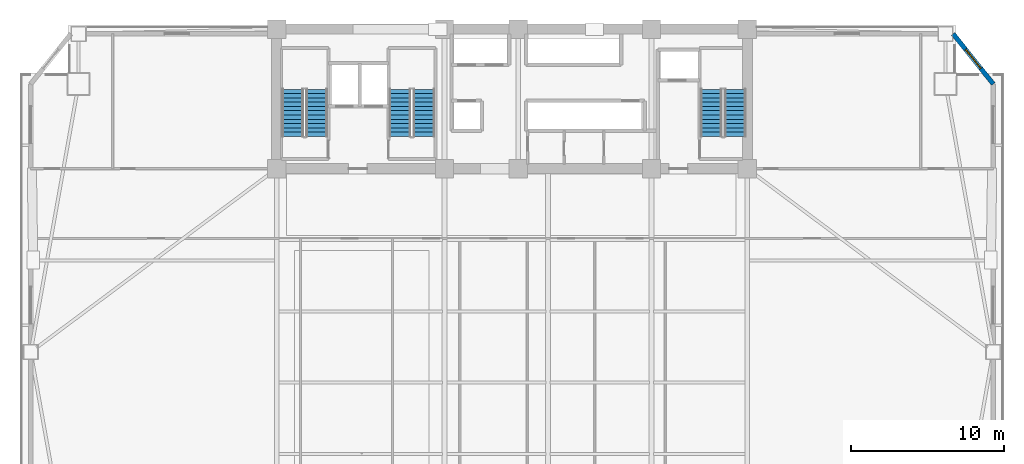
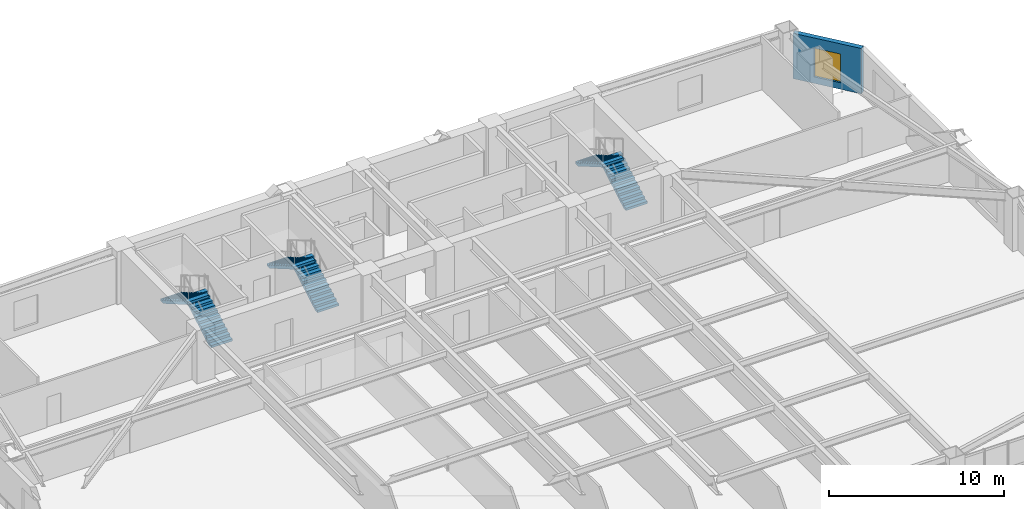
# One storey, part 12 of 18: 6 stair flights, 1 wall, 1 window, 1 opening, 3 elements without a shape of their own.
"""IFC4 building model written with IfcOpenShell, lengths in metres."""

from ifc_helpers import new_model, si_unit, direction, frame, frame_2d, origin, place, context, subcontext, project, spatial, polyline, rectangle, outline, extrude, source, transform, mapped, material, layer, layer_set, type_object, element, fill, aggregate, save


model = new_model("IFC4")

# Units and contexts
model_context = context("Model", 3, precision=1e-05, world=origin(), true_north=direction((0.0, 1.0)))
body_context = subcontext(model_context, "Body", "Model", "MODEL_VIEW")
ifc_project = project(units=[si_unit("LENGTHUNIT", "METRE"), si_unit("AREAUNIT", "SQUARE_METRE"), si_unit("VOLUMEUNIT", "CUBIC_METRE"), si_unit("PLANEANGLEUNIT", "RADIAN"), si_unit("MASSUNIT", "GRAM", prefix="KILO")], contexts=[model_context])

# Site, building, storey
site_placement = place(None, origin())
site = spatial("IfcSite", under=ifc_project, at=site_placement, CompositionType="ELEMENT")
building_placement = place(site_placement, origin())
building = spatial("IfcBuilding", under=site, at=building_placement, Name="Giltprow Tower", CompositionType="ELEMENT")
storey_placement = place(building_placement, frame((0.0, 0.0, 65.0)))
storey = spatial("IfcBuildingStorey", under=building, at=storey_placement, Name="L16", CompositionType="ELEMENT", Elevation=65.0)

# Wall, opening, window
ifc_material_1 = material(Name="Precast concrete C40", Category="concrete")
ifc_layer = layer(ifc_material_1, 0.300048828125, Name="Precast concrete C40")
ifc_layer_set = layer_set([ifc_layer], Name="Precast concrete C40")
wall_type = type_object("IfcWallType", Name="EW-NOTCH-CHAMFER-300", PredefinedType="SOLIDWALL", material=ifc_layer_set)
wall_placement = place(storey_placement, frame((66.595947265625, 42.97802734375, 0.0), z_axis=(0.0, 0.0, 1.0), x_axis=(-0.625312639048, 0.780374335461, 0.0)))
wall = element("IfcWall", 1, at=wall_placement, inside=storey, type_object=wall_type, Name="L16 Corner Notch Wall NE", PredefinedType="SOLIDWALL", context=body_context, shape_type="SweptSolid", body=[
    extrude(rectangle(XDim=4.19287109375, YDim=0.300048828125, at=frame_2d((2.096435546875, 0.0))), origin(), (0.0, 0.0, 1.0), 3.159912109375),
])
opening_placement = place(wall_placement, frame((1.2958984375, 0.0, 0.449951171875)))
opening = element("IfcOpeningElement", 2, at=opening_placement, cuts=wall, Name="Opening WN17", PredefinedType="OPENING", context=body_context, shape_type="SweptSolid", body=[
    extrude(rectangle(XDim=1.60009765625, YDim=2.0, at=frame_2d((0.800048828125, 1.0))), frame((0.0, 0.159912109375, 0.0), z_axis=(0.0, -1.0, 0.0), x_axis=(1.0, 0.0, 0.0)), (0.0, 0.0, 1.0), 0.320068359375),
])
ifc_material_2 = material(Name="Insulated glass", Category="glass")
window_type = type_object("IfcWindowType", Name="WN-COR-1600x2000", PartitioningType="SINGLE_PANEL", PredefinedType="WINDOW", material=ifc_material_2)
shared_shape = source(origin(), body_context, "Body", "SweptSolid", [
    extrude(rectangle(XDim=1.60009765625, YDim=2.0, at=frame_2d((0.800048828125, 1.0))), frame((0.0, 0.030029296875, 0.0), z_axis=(0.0, -1.0, 0.0), x_axis=(1.0, 0.0, 0.0)), (0.0, 0.0, 1.0), 0.06005859375),
])
window_placement = place(opening_placement, origin())
window = element("IfcWindow", 3, at=window_placement, inside=storey, type_object=window_type, Name="L16 Corner Notch Window NE", OverallHeight=2.0, OverallWidth=1.60009765625, PartitioningType="SINGLE_PANEL", PredefinedType="WINDOW", context=body_context, shape_type="MappedRepresentation", body=[
    mapped(shared_shape, transform((0.0, 0.0, 0.0), x_axis=(1.0, 0.0, 0.0), y_axis=(0.0, 1.0, 0.0), z_axis=(0.0, 0.0, 1.0), scale=1.0)),
])
fill(opening, window)

# Stair, stair flights
ifc_material_3 = material(Name="Concrete C40", Category="concrete")
stair_type_1 = type_object("IfcStairType", Name="STR-ST-1", PredefinedType="HALF_TURN_STAIR", material=ifc_material_3)
stair_1_placement = place(storey_placement, origin())
stair_1 = element("IfcStair", 4, at=stair_1_placement, inside=storey, type_object=stair_type_1, Name="L16 Core Exit Stair ST-1", PredefinedType="HALF_TURN_STAIR")
stair_flight_type_1 = type_object("IfcStairFlightType", Name="SFL-ST-1", PredefinedType="STRAIGHT", material=ifc_material_3)
stair_flight_1_placement = place(storey_placement, frame((22.4599609375, 39.550048828125, 0.0), z_axis=(0.0, 0.0, 1.0), x_axis=(0.0, 1.0, 0.0)))
stair_flight_1 = element("IfcStairFlight", 5, at=stair_flight_1_placement, type_object=stair_flight_type_1, Name="ST-1 flight 1", NumberOfRisers=12, NumberOfTreads=11, PredefinedType="STRAIGHT", RiserHeight=0.1625, TreadLength=0.28, context=body_context, shape_type="SweptSolid", body=[
    extrude(outline(polyline([(0.0, 0.0), (0.0, 0.16259765625), (0.280029296875, 0.16259765625), (0.280029296875, 0.324951171875), (0.56005859375, 0.324951171875), (0.56005859375, 0.487548828125), (0.840087890625, 0.487548828125), (0.840087890625, 0.64990234375), (1.1201171875, 0.64990234375), (1.1201171875, 0.8125), (1.39990234375, 0.8125), (1.39990234375, 0.97509765625), (1.679931640625, 0.97509765625), (1.679931640625, 1.137451171875), (1.9599609375, 1.137451171875), (1.9599609375, 1.300048828125), (2.239990234375, 1.300048828125), (2.239990234375, 1.46240234375), (2.52001953125, 1.46240234375), (2.52001953125, 1.625), (2.800048828125, 1.625), (2.800048828125, 1.78759765625), (3.080078125, 1.78759765625), (3.080078125, 1.949951171875), (3.080078125, 1.6142578125), (0.298583984375, 0.0), (0.0, 0.0)])), frame((0.0, 0.699951171875, 0.0), z_axis=(0.0, -1.0, 0.0), x_axis=(1.0, 0.0, 0.0)), (0.0, 0.0, 1.0), 1.39990234375),
])
stair_flight_2_placement = place(storey_placement, frame((20.89990234375, 42.6298828125, 1.949951171875), z_axis=(0.0, 0.0, 1.0), x_axis=(0.0, -1.0, 0.0)))
stair_flight_2 = element("IfcStairFlight", 6, at=stair_flight_2_placement, type_object=stair_flight_type_1, Name="ST-1 flight 2", NumberOfRisers=12, NumberOfTreads=11, PredefinedType="STRAIGHT", RiserHeight=0.1625, TreadLength=0.28, context=body_context, shape_type="SweptSolid", body=[
    extrude(outline(polyline([(0.0, 0.0), (0.0, 0.16259765625), (0.280029296875, 0.16259765625), (0.280029296875, 0.324951171875), (0.56005859375, 0.324951171875), (0.56005859375, 0.487548828125), (0.840087890625, 0.487548828125), (0.840087890625, 0.64990234375), (1.1201171875, 0.64990234375), (1.1201171875, 0.8125), (1.39990234375, 0.8125), (1.39990234375, 0.97509765625), (1.679931640625, 0.97509765625), (1.679931640625, 1.137451171875), (1.9599609375, 1.137451171875), (1.9599609375, 1.300048828125), (2.239990234375, 1.300048828125), (2.239990234375, 1.46240234375), (2.52001953125, 1.46240234375), (2.52001953125, 1.625), (2.800048828125, 1.625), (2.800048828125, 1.78759765625), (3.080078125, 1.78759765625), (3.080078125, 1.949951171875), (3.080078125, 1.6142578125), (0.298583984375, 0.0), (0.0, 0.0)])), frame((0.0, 0.699951171875, 0.0), z_axis=(0.0, -1.0, 0.0), x_axis=(1.0, 0.0, 0.0)), (0.0, 0.0, 1.0), 1.39990234375),
])
aggregate(stair_1, [stair_flight_1, stair_flight_2])

stair_type_2 = type_object("IfcStairType", Name="STR-ST-2", PredefinedType="HALF_TURN_STAIR", material=ifc_material_3)
stair_2_placement = place(storey_placement, origin())
stair_2 = element("IfcStair", 7, at=stair_2_placement, inside=storey, type_object=stair_type_2, Name="L16 Core Exit Stair ST-2", PredefinedType="HALF_TURN_STAIR")
stair_flight_type_2 = type_object("IfcStairFlightType", Name="SFL-ST-2", PredefinedType="STRAIGHT", material=ifc_material_3)
stair_flight_3_placement = place(storey_placement, frame((29.4599609375, 39.550048828125, 0.0), z_axis=(0.0, 0.0, 1.0), x_axis=(0.0, 1.0, 0.0)))
stair_flight_3 = element("IfcStairFlight", 8, at=stair_flight_3_placement, type_object=stair_flight_type_2, Name="ST-2 flight 1", NumberOfRisers=12, NumberOfTreads=11, PredefinedType="STRAIGHT", RiserHeight=0.1625, TreadLength=0.28, context=body_context, shape_type="SweptSolid", body=[
    extrude(outline(polyline([(0.0, 0.0), (0.0, 0.16259765625), (0.280029296875, 0.16259765625), (0.280029296875, 0.324951171875), (0.56005859375, 0.324951171875), (0.56005859375, 0.487548828125), (0.840087890625, 0.487548828125), (0.840087890625, 0.64990234375), (1.1201171875, 0.64990234375), (1.1201171875, 0.8125), (1.39990234375, 0.8125), (1.39990234375, 0.97509765625), (1.679931640625, 0.97509765625), (1.679931640625, 1.137451171875), (1.9599609375, 1.137451171875), (1.9599609375, 1.300048828125), (2.239990234375, 1.300048828125), (2.239990234375, 1.46240234375), (2.52001953125, 1.46240234375), (2.52001953125, 1.625), (2.800048828125, 1.625), (2.800048828125, 1.78759765625), (3.080078125, 1.78759765625), (3.080078125, 1.949951171875), (3.080078125, 1.6142578125), (0.298583984375, 0.0), (0.0, 0.0)])), frame((0.0, 0.699951171875, 0.0), z_axis=(0.0, -1.0, 0.0), x_axis=(1.0, 0.0, 0.0)), (0.0, 0.0, 1.0), 1.39990234375),
])
stair_flight_4_placement = place(storey_placement, frame((27.89990234375, 42.6298828125, 1.949951171875), z_axis=(0.0, 0.0, 1.0), x_axis=(0.0, -1.0, 0.0)))
stair_flight_4 = element("IfcStairFlight", 9, at=stair_flight_4_placement, type_object=stair_flight_type_2, Name="ST-2 flight 2", NumberOfRisers=12, NumberOfTreads=11, PredefinedType="STRAIGHT", RiserHeight=0.1625, TreadLength=0.28, context=body_context, shape_type="SweptSolid", body=[
    extrude(outline(polyline([(0.0, 0.0), (0.0, 0.16259765625), (0.280029296875, 0.16259765625), (0.280029296875, 0.324951171875), (0.56005859375, 0.324951171875), (0.56005859375, 0.487548828125), (0.840087890625, 0.487548828125), (0.840087890625, 0.64990234375), (1.1201171875, 0.64990234375), (1.1201171875, 0.8125), (1.39990234375, 0.8125), (1.39990234375, 0.97509765625), (1.679931640625, 0.97509765625), (1.679931640625, 1.137451171875), (1.9599609375, 1.137451171875), (1.9599609375, 1.300048828125), (2.239990234375, 1.300048828125), (2.239990234375, 1.46240234375), (2.52001953125, 1.46240234375), (2.52001953125, 1.625), (2.800048828125, 1.625), (2.800048828125, 1.78759765625), (3.080078125, 1.78759765625), (3.080078125, 1.949951171875), (3.080078125, 1.6142578125), (0.298583984375, 0.0), (0.0, 0.0)])), frame((0.0, 0.699951171875, 0.0), z_axis=(0.0, -1.0, 0.0), x_axis=(1.0, 0.0, 0.0)), (0.0, 0.0, 1.0), 1.39990234375),
])
aggregate(stair_2, [stair_flight_3, stair_flight_4])

stair_type_3 = type_object("IfcStairType", Name="STR-ST-3", PredefinedType="HALF_TURN_STAIR", material=ifc_material_3)
stair_3_placement = place(storey_placement, origin())
stair_3 = element("IfcStair", 10, at=stair_3_placement, inside=storey, type_object=stair_type_3, Name="L16 Core Exit Stair ST-3", PredefinedType="HALF_TURN_STAIR")
stair_flight_type_3 = type_object("IfcStairFlightType", Name="SFL-ST-3", PredefinedType="STRAIGHT", material=ifc_material_3)
stair_flight_5_placement = place(storey_placement, frame((49.760009765625, 39.550048828125, 0.0), z_axis=(0.0, 0.0, 1.0), x_axis=(0.0, 1.0, 0.0)))
stair_flight_5 = element("IfcStairFlight", 11, at=stair_flight_5_placement, type_object=stair_flight_type_3, Name="ST-3 flight 1", NumberOfRisers=12, NumberOfTreads=11, PredefinedType="STRAIGHT", RiserHeight=0.1625, TreadLength=0.28, context=body_context, shape_type="SweptSolid", body=[
    extrude(outline(polyline([(0.0, 0.0), (0.0, 0.16259765625), (0.280029296875, 0.16259765625), (0.280029296875, 0.324951171875), (0.56005859375, 0.324951171875), (0.56005859375, 0.487548828125), (0.840087890625, 0.487548828125), (0.840087890625, 0.64990234375), (1.1201171875, 0.64990234375), (1.1201171875, 0.8125), (1.39990234375, 0.8125), (1.39990234375, 0.97509765625), (1.679931640625, 0.97509765625), (1.679931640625, 1.137451171875), (1.9599609375, 1.137451171875), (1.9599609375, 1.300048828125), (2.239990234375, 1.300048828125), (2.239990234375, 1.46240234375), (2.52001953125, 1.46240234375), (2.52001953125, 1.625), (2.800048828125, 1.625), (2.800048828125, 1.78759765625), (3.080078125, 1.78759765625), (3.080078125, 1.949951171875), (3.080078125, 1.6142578125), (0.298583984375, 0.0), (0.0, 0.0)])), frame((0.0, 0.699951171875, 0.0), z_axis=(0.0, -1.0, 0.0), x_axis=(1.0, 0.0, 0.0)), (0.0, 0.0, 1.0), 1.39990234375),
])
stair_flight_6_placement = place(storey_placement, frame((48.199951171875, 42.6298828125, 1.949951171875), z_axis=(0.0, 0.0, 1.0), x_axis=(0.0, -1.0, 0.0)))
stair_flight_6 = element("IfcStairFlight", 12, at=stair_flight_6_placement, type_object=stair_flight_type_3, Name="ST-3 flight 2", NumberOfRisers=12, NumberOfTreads=11, PredefinedType="STRAIGHT", RiserHeight=0.1625, TreadLength=0.28, context=body_context, shape_type="SweptSolid", body=[
    extrude(outline(polyline([(0.0, 0.0), (0.0, 0.16259765625), (0.280029296875, 0.16259765625), (0.280029296875, 0.324951171875), (0.56005859375, 0.324951171875), (0.56005859375, 0.487548828125), (0.840087890625, 0.487548828125), (0.840087890625, 0.64990234375), (1.1201171875, 0.64990234375), (1.1201171875, 0.8125), (1.39990234375, 0.8125), (1.39990234375, 0.97509765625), (1.679931640625, 0.97509765625), (1.679931640625, 1.137451171875), (1.9599609375, 1.137451171875), (1.9599609375, 1.300048828125), (2.239990234375, 1.300048828125), (2.239990234375, 1.46240234375), (2.52001953125, 1.46240234375), (2.52001953125, 1.625), (2.800048828125, 1.625), (2.800048828125, 1.78759765625), (3.080078125, 1.78759765625), (3.080078125, 1.949951171875), (3.080078125, 1.6142578125), (0.298583984375, 0.0), (0.0, 0.0)])), frame((0.0, 0.699951171875, 0.0), z_axis=(0.0, -1.0, 0.0), x_axis=(1.0, 0.0, 0.0)), (0.0, 0.0, 1.0), 1.39990234375),
])
aggregate(stair_3, [stair_flight_5, stair_flight_6])

save(model, "model.ifc")
